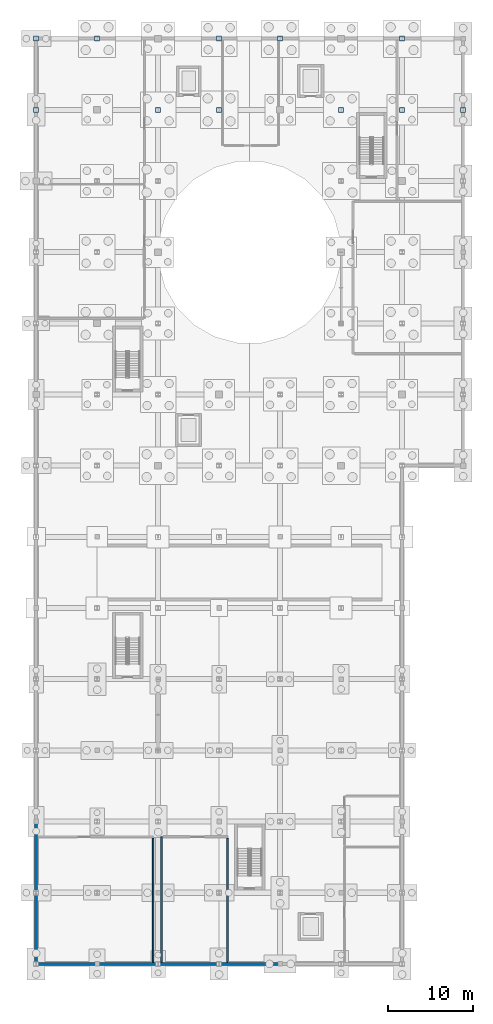
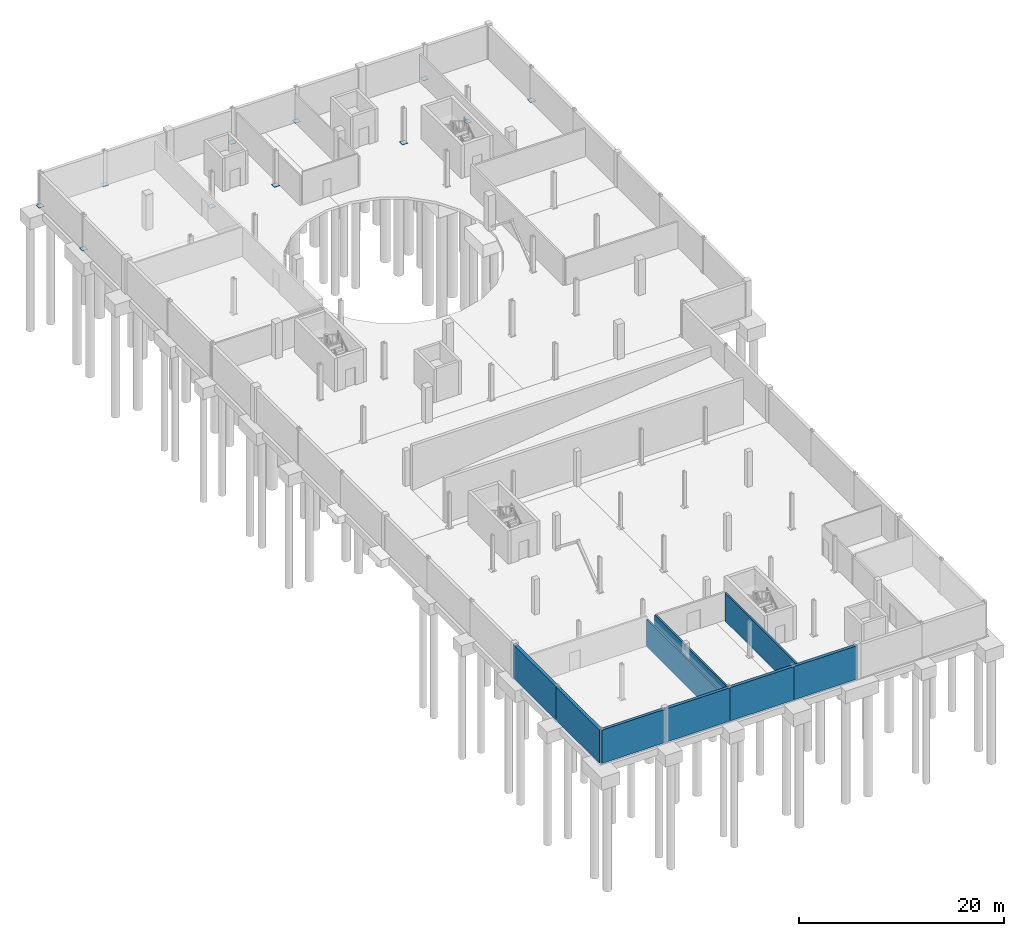
# One storey, part 21 of 32: 11 plates, 9 walls.
"""IFC4 building model written with IfcOpenShell, lengths in metres."""

from ifc_helpers import new_model, si_unit, direction, frame, frame_2d, origin, origin_2d, place, context, subcontext, project, spatial, rectangle, extrude, material, layer, layer_set, type_object, element, save


model = new_model("IFC4")

# Units and contexts
model_context = context("Model", 3, precision=1e-05, world=origin(), true_north=direction((0.0, 1.0)))
body_context = subcontext(model_context, "Body", "Model", "MODEL_VIEW")
ifc_project = project(units=[si_unit("LENGTHUNIT", "METRE"), si_unit("AREAUNIT", "SQUARE_METRE"), si_unit("VOLUMEUNIT", "CUBIC_METRE"), si_unit("PLANEANGLEUNIT", "RADIAN"), si_unit("MASSUNIT", "GRAM", prefix="KILO")], contexts=[model_context])

# Site, building, storey
site_placement = place(None, origin())
site = spatial("IfcSite", under=ifc_project, at=site_placement, CompositionType="ELEMENT")
building_placement = place(site_placement, origin())
building = spatial("IfcBuilding", under=site, at=building_placement, Name="Qelthora Terrace Specialist Clinic", CompositionType="ELEMENT")
storey_placement = place(building_placement, frame((0.0, 0.0, -4.199951171875)))
storey = spatial("IfcBuildingStorey", under=building, at=storey_placement, Name="B1", CompositionType="ELEMENT", Elevation=-4.199951171875)

# Plates
ifc_material_1 = material(Name="Steel S355", Category="steel")
ifc_layer_1 = layer(ifc_material_1, 0.030029296875)
ifc_layer_set_1 = layer_set([ifc_layer_1], Name="Steel S355")
plate_type = type_object("IfcPlateType", Name="PLT-BASE-600X600X30", PredefinedType="USERDEFINED", material=ifc_layer_set_1)
for number, where, z_axis, x_axis, name in (
    (1, (0.0, 100.800048828125, 0.0), (0.0, 0.0, 1.0), (1.0, 0.0, 0.0), "Steel column base plate BPLT-009"),
    (2, (0.0, 109.199951171875, 0.0), (0.0, 0.0, 1.0), (1.0, 0.0, 0.0), "Steel column base plate BPLT-010"),
    (3, (7.199951171875, 109.199951171875, 0.0), (0.0, 0.0, 1.0), (1.0, 0.0, 0.0), "Steel column base plate BPLT-019"),
    (4, (14.39990234375, 100.800048828125, 0.0), (0.0, 0.0, 1.0), (1.0, 0.0, 0.0), "Steel column base plate BPLT-028"),
    (5, (21.60009765625, 100.800048828125, 0.0), (0.0, 0.0, 1.0), (1.0, 0.0, 0.0), "Steel column base plate BPLT-035"),
    (6, (21.60009765625, 109.199951171875, 0.0), (0.0, 0.0, 1.0), (1.0, 0.0, 0.0), "Steel column base plate BPLT-036"),
    (7, (28.800048828125, 109.199951171875, 0.0), (0.0, 0.0, 1.0), (1.0, 0.0, 0.0), "Steel column base plate BPLT-043"),
    (8, (36.0, 100.800048828125, 0.0), (0.0, 0.0, 1.0), (1.0, 0.0, 0.0), "Steel column base plate BPLT-052"),
    (9, (43.199951171875, 100.800048828125, 0.0), (0.0, 0.0, 1.0), (1.0, 0.0, 0.0), "Steel column base plate BPLT-061"),
    (10, (43.199951171875, 109.199951171875, 0.0), (0.0, 0.0, 1.0), (1.0, 0.0, 0.0), "Steel column base plate BPLT-062"),
    (11, (50.39990234375, 100.800048828125, 0.0), (0.0, 0.0, 1.0), (1.0, 0.0, 0.0), "Steel column base plate BPLT-066"),
):
    element("IfcPlate", number, at=place(storey_placement, frame(where, z_axis=z_axis, x_axis=x_axis)), inside=storey, type_object=plate_type, Name=name, ObjectType="GUSSET PLATE", PredefinedType="USERDEFINED", context=body_context, shape_type="SweptSolid", body=[
        extrude(rectangle(XDim=0.60009765625, YDim=0.60009765625, at=origin_2d()), origin(), (0.0, 0.0, 1.0), 0.030029296875),
    ])

# Walls
ifc_material_2 = material(Name="Gypsum fire-rated wallboard", Category="gypsum")
ifc_layer_2 = layer(ifc_material_2, 0.179931640625)
ifc_layer_set_2 = layer_set([ifc_layer_2], Name="Gypsum fire-rated wallboard")
wall_type_1 = type_object("IfcWallType", Name="WAL-INT-CLN-180", PredefinedType="PARTITIONING", material=ifc_layer_set_2)
wall_1_placement = place(storey_placement, frame((13.800048828125, 14.820068359375, 0.0), z_axis=(0.0, 0.0, 1.0), x_axis=(0.0, -1.0, 0.0)))
element("IfcWall", 12, at=wall_1_placement, inside=storey, type_object=wall_type_1, Name="Interior clinical partition IWAL-B1-0002", PredefinedType="PARTITIONING", context=body_context, shape_type="SweptSolid", body=[
    extrude(rectangle(XDim=14.60009765625, YDim=0.179931640625, at=frame_2d((7.300048828125, 0.0))), origin(), (0.0, 0.0, 1.0), 3.2568359375),
])
ifc_layer_3 = layer(ifc_material_2, 0.199951171875)
ifc_layer_set_3 = layer_set([ifc_layer_3], Name="Gypsum fire-rated wallboard")
wall_type_2 = type_object("IfcWallType", Name="WAL-INT-SMK-200", PredefinedType="PARTITIONING", material=ifc_layer_set_3)
wall_2_placement = place(storey_placement, frame((14.800048828125, 0.219970703125, 0.0), z_axis=(0.0, 0.0, 1.0), x_axis=(0.0, 1.0, 0.0)))
element("IfcWall", 13, at=wall_2_placement, inside=storey, type_object=wall_type_2, Name="Interior clinical partition IWAL-B1-0003", PredefinedType="PARTITIONING", context=body_context, shape_type="SweptSolid", body=[
    extrude(rectangle(XDim=14.780029296875, YDim=0.199951171875, at=frame_2d((7.39013671875, 0.0))), origin(), (0.0, 0.0, 1.0), 3.327880859375),
])
wall_3_placement = place(storey_placement, frame((22.60009765625, 14.820068359375, 0.0), z_axis=(0.0, 0.0, 1.0), x_axis=(0.0, -1.0, 0.0)))
element("IfcWall", 14, at=wall_3_placement, inside=storey, type_object=wall_type_2, Name="Interior clinical partition IWAL-B1-0005", PredefinedType="PARTITIONING", context=body_context, shape_type="SweptSolid", body=[
    extrude(rectangle(XDim=14.60009765625, YDim=0.199951171875, at=frame_2d((7.300048828125, 0.0))), origin(), (0.0, 0.0, 1.0), 3.3330078125),
])
ifc_material_3 = material(Name="Concrete C35/45", Category="concrete")
ifc_layer_4 = layer(ifc_material_3, 0.35009765625)
ifc_layer_set_4 = layer_set([ifc_layer_4], Name="Concrete C35/45")
wall_type_3 = type_object("IfcWallType", Name="WAL-RET-350-C35", PredefinedType="USERDEFINED", material=ifc_layer_set_4)
wall_4_placement = place(storey_placement, frame((0.0, 0.0, 0.0), z_axis=(0.0, 0.0, 1.0), x_axis=(0.0, 1.0, 0.0)))
element("IfcWall", 15, at=wall_4_placement, inside=storey, type_object=wall_type_3, Name="Drained concrete retaining wall RET-B1-001", ObjectType="RETAINING WALL", PredefinedType="USERDEFINED", context=body_context, shape_type="SweptSolid", body=[
    extrude(rectangle(XDim=8.39990234375, YDim=0.35009765625, at=frame_2d((4.199951171875, 0.0))), origin(), (0.0, 0.0, 1.0), 3.9599609375),
])
wall_5_placement = place(storey_placement, frame((0.0, 8.39990234375, 0.0), z_axis=(0.0, 0.0, 1.0), x_axis=(0.0, 1.0, 0.0)))
element("IfcWall", 16, at=wall_5_placement, inside=storey, type_object=wall_type_3, Name="Drained concrete retaining wall RET-B1-002", ObjectType="RETAINING WALL", PredefinedType="USERDEFINED", context=body_context, shape_type="SweptSolid", body=[
    extrude(rectangle(XDim=8.400146484375, YDim=0.35009765625, at=frame_2d((4.2001953125, 0.0))), origin(), (0.0, 0.0, 1.0), 3.9599609375),
])
for number, where, z_axis, x_axis, name in (
    (17, (0.0, 0.0, 0.0), (0.0, 0.0, 1.0), (1.0, 0.0, 0.0), "Drained concrete retaining wall RET-B1-027"),
    (18, (7.199951171875, 0.0, 0.0), (0.0, 0.0, 1.0), (1.0, 0.0, 0.0), "Drained concrete retaining wall RET-B1-028"),
):
    element("IfcWall", number, at=place(storey_placement, frame(where, z_axis=z_axis, x_axis=x_axis)), inside=storey, type_object=wall_type_3, Name=name, ObjectType="RETAINING WALL", PredefinedType="USERDEFINED", context=body_context, shape_type="SweptSolid", body=[
        extrude(rectangle(XDim=7.199951171875, YDim=0.35009765625, at=frame_2d((3.60009765625, 0.0))), origin(), (0.0, 0.0, 1.0), 3.9599609375),
    ])
wall_6_placement = place(storey_placement, frame((14.39990234375, 0.0, 0.0), z_axis=(0.0, 0.0, 1.0), x_axis=(1.0, 0.0, 0.0)))
element("IfcWall", 19, at=wall_6_placement, inside=storey, type_object=wall_type_3, Name="Drained concrete retaining wall RET-B1-029", ObjectType="RETAINING WALL", PredefinedType="USERDEFINED", context=body_context, shape_type="SweptSolid", body=[
    extrude(rectangle(XDim=7.2001953125, YDim=0.35009765625, at=frame_2d((3.60009765625, 0.0))), origin(), (0.0, 0.0, 1.0), 3.9599609375),
])
wall_7_placement = place(storey_placement, frame((21.60009765625, 0.0, 0.0), z_axis=(0.0, 0.0, 1.0), x_axis=(1.0, 0.0, 0.0)))
element("IfcWall", 20, at=wall_7_placement, inside=storey, type_object=wall_type_3, Name="Drained concrete retaining wall RET-B1-030", ObjectType="RETAINING WALL", PredefinedType="USERDEFINED", context=body_context, shape_type="SweptSolid", body=[
    extrude(rectangle(XDim=7.199951171875, YDim=0.35009765625, at=frame_2d((3.60009765625, 0.0))), origin(), (0.0, 0.0, 1.0), 3.9599609375),
])

save(model, "model.ifc")
